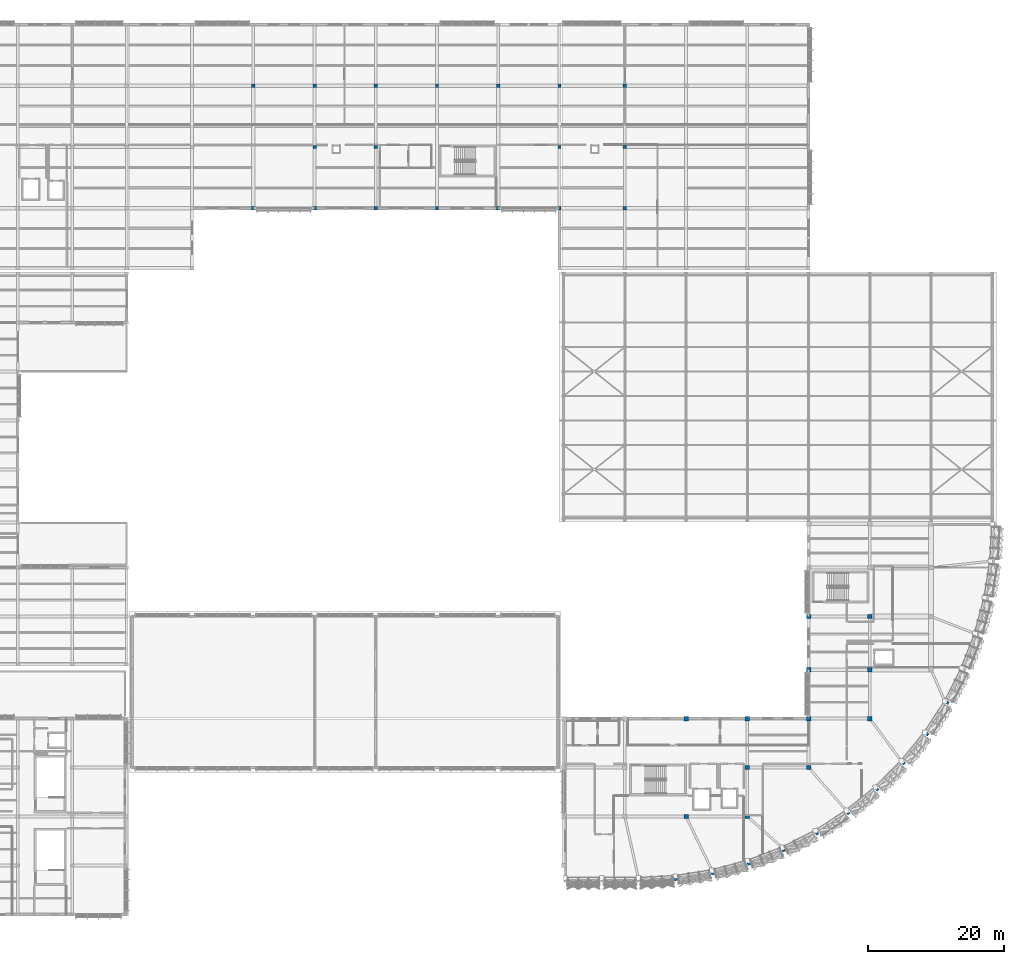
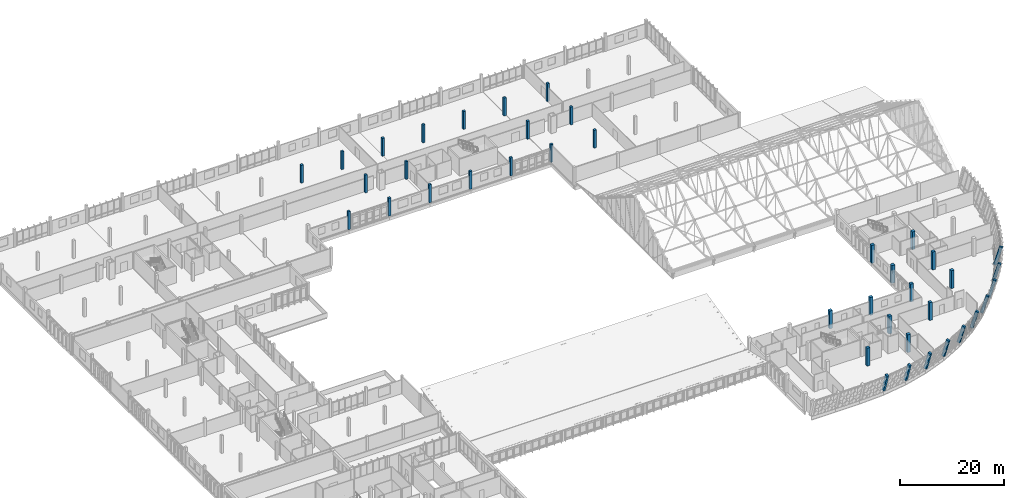
# One storey, part 5 of 182: 40 columns.
"""IFC4 building model written with IfcOpenShell, lengths in metres."""

from ifc_helpers import new_model, si_unit, direction, frame, origin, origin_2d, place, context, subcontext, project, spatial, rectangle, extrude, material, material_profile, profile_set, type_object, element, save


model = new_model("IFC4")

# Units and contexts
model_context = context("Model", 3, precision=1e-05, world=origin(), true_north=direction((0.0, 1.0)))
body_context = subcontext(model_context, "Body", "Model", "MODEL_VIEW")
ifc_project = project(units=[si_unit("LENGTHUNIT", "METRE"), si_unit("AREAUNIT", "SQUARE_METRE"), si_unit("VOLUMEUNIT", "CUBIC_METRE"), si_unit("PLANEANGLEUNIT", "RADIAN"), si_unit("MASSUNIT", "GRAM", prefix="KILO")], contexts=[model_context])

# Site, building, storey
site_placement = place(None, origin())
site = spatial("IfcSite", under=ifc_project, at=site_placement, CompositionType="ELEMENT")
building_placement = place(site_placement, origin())
building = spatial("IfcBuilding", under=site, at=building_placement, Name="Chiffa Square Polytechnic", CompositionType="ELEMENT")
storey_placement = place(building_placement, frame((0.0, 0.0, 9.60009765625)))
storey = spatial("IfcBuildingStorey", under=building, at=storey_placement, Name="L02", CompositionType="ELEMENT", Elevation=9.60009765625)

# Columns
ifc_material_1 = material(Name="Glulam GL32c", Category="wood")
ifc_material_profile_1 = material_profile(ifc_material_1, rectangle(XDim=0.449951171875, YDim=0.64990234375, at=origin_2d()), Name="GL32c 450x650")
ifc_profile_set_1 = profile_set([ifc_material_profile_1], Name="Glulam GL32c")
column_type_1 = type_object("IfcColumnType", Name="COL-RAKED-GL650", PredefinedType="USERDEFINED", material=ifc_profile_set_1)
column_1_placement = place(storey_placement, frame((128.635009765625, 5.635009765625, 0.0), z_axis=(0.02863732124, -0.270824041878, 0.962202807194), x_axis=(0.994455825103, 0.105155180184, 0.0)))
element("IfcColumn", 1, at=column_1_placement, inside=storey, type_object=column_type_1, Name="Outward-leaning glulam column CRK-V1-L02-04", ObjectType="RAKED COLUMN", PredefinedType="USERDEFINED", context=body_context, shape_type="SweptSolid", body=[
    extrude(rectangle(XDim=0.449951171875, YDim=0.64990234375, at=origin_2d()), origin(), (0.0, 0.0, 1.0), 4.364990234375),
])
for number, where, z_axis, x_axis, name in (
    (2, (134.010986328125, 6.486083984375, 0.0), (0.05682871792, -0.266244780808, 0.962228773999), (0.977970472055, 0.208743277229, 0.0), "Outward-leaning glulam column CRK-V1-L02-05"),
    (3, (139.26904296875, 7.89501953125, 0.0), (0.08406888917, -0.258918754471, 0.962233599734), (0.951120099234, 0.308821237665, 0.0), "Outward-leaning glulam column CRK-V1-L02-06"),
):
    element("IfcColumn", number, at=place(storey_placement, frame(where, z_axis=z_axis, x_axis=x_axis)), inside=storey, type_object=column_type_1, Name=name, ObjectType="RAKED COLUMN", PredefinedType="USERDEFINED", context=body_context, shape_type="SweptSolid", body=[
        extrude(rectangle(XDim=0.449951171875, YDim=0.64990234375, at=origin_2d()), origin(), (0.0, 0.0, 1.0), 4.36474609375),
    ])
for number, where, z_axis, x_axis, name in (
    (4, (144.35009765625, 9.845947265625, 0.0), (0.110856728725, -0.248784424506, 0.962193897206), (0.913421587829, 0.407014745296, 0.0), "Outward-leaning glulam column CRK-V1-L02-07"),
    (5, (149.199951171875, 12.31689453125, 0.0), (0.136082376935, -0.235920865562, 0.962196929885), (0.866226610403, 0.499651337864, 0.0), "Outward-leaning glulam column CRK-V1-L02-08"),
):
    element("IfcColumn", number, at=place(storey_placement, frame(where, z_axis=z_axis, x_axis=x_axis)), inside=storey, type_object=column_type_1, Name=name, ObjectType="RAKED COLUMN", PredefinedType="USERDEFINED", context=body_context, shape_type="SweptSolid", body=[
        extrude(rectangle(XDim=0.449951171875, YDim=0.64990234375, at=origin_2d()), origin(), (0.0, 0.0, 1.0), 4.364990234375),
    ])
for number, where, z_axis, x_axis, name in (
    (6, (153.764892578125, 15.281005859375, 0.0), (0.159920643568, -0.220163572257, 0.962264718886), (0.809082617326, 0.587694919445, 0.0), "Outward-leaning glulam column CRK-V1-L02-09"),
    (7, (157.9951171875, 18.7060546875, 0.0), (0.182121983712, -0.202314255248, 0.96223724994), (0.743222621196, 0.669044195359, 0.0), "Outward-leaning glulam column CRK-V1-L02-10"),
    (8, (161.843994140625, 22.554931640625, 0.0), (0.202314255248, -0.182121983712, 0.96223724994), (0.669044195359, 0.743222621196, 0.0), "Outward-leaning glulam column CRK-V1-L02-11"),
    (9, (165.26904296875, 26.784912109375, 0.0), (0.220163572257, -0.159920643568, 0.962264718886), (0.587694919445, 0.809082617326, 0.0), "Outward-leaning glulam column CRK-V1-L02-12"),
):
    element("IfcColumn", number, at=place(storey_placement, frame(where, z_axis=z_axis, x_axis=x_axis)), inside=storey, type_object=column_type_1, Name=name, ObjectType="RAKED COLUMN", PredefinedType="USERDEFINED", context=body_context, shape_type="SweptSolid", body=[
        extrude(rectangle(XDim=0.449951171875, YDim=0.64990234375, at=origin_2d()), origin(), (0.0, 0.0, 1.0), 4.36474609375),
    ])
column_2_placement = place(storey_placement, frame((168.23291015625, 31.35009765625, 0.0), z_axis=(0.235973683347, -0.136080581081, 0.962184231954), x_axis=(0.499562467058, 0.866277866222, 0.0)))
element("IfcColumn", 10, at=column_2_placement, inside=storey, type_object=column_type_1, Name="Outward-leaning glulam column CRK-V1-L02-13", ObjectType="RAKED COLUMN", PredefinedType="USERDEFINED", context=body_context, shape_type="SweptSolid", body=[
    extrude(rectangle(XDim=0.449951171875, YDim=0.64990234375, at=origin_2d()), origin(), (0.0, 0.0, 1.0), 4.364990234375),
])
ifc_material_2 = material(Name="Concrete C35/45", Category="concrete")
ifc_material_profile_2 = material_profile(ifc_material_2, rectangle(XDim=0.5, YDim=0.5, at=origin_2d()), Name="RC 500x500")
ifc_profile_set_2 = profile_set([ifc_material_profile_2], Name="Concrete C35/45")
column_type_2 = type_object("IfcColumnType", Name="COL-RC-500", PredefinedType="COLUMN", material=ifc_profile_set_2)
for number, where, z_axis, x_axis, name in (
    (11, (66.60009765625, 103.800048828125, 0.0), (0.0, 0.0, 1.0), (1.0, 0.0, 0.0), "Column C-V5-L02-0666-1038"),
    (12, (66.60009765625, 121.800048828125, 0.0), (0.0, 0.0, 1.0), (1.0, 0.0, 0.0), "Column C-V5-L02-0666-1218"),
    (13, (75.60009765625, 103.800048828125, 0.0), (0.0, 0.0, 1.0), (1.0, 0.0, 0.0), "Column C-V5-L02-0756-1038"),
    (14, (75.60009765625, 112.800048828125, 0.0), (0.0, 0.0, 1.0), (1.0, 0.0, 0.0), "Column C-V5-L02-0756-1128"),
    (15, (75.60009765625, 121.800048828125, 0.0), (0.0, 0.0, 1.0), (1.0, 0.0, 0.0), "Column C-V5-L02-0756-1218"),
    (16, (84.60009765625, 103.800048828125, 0.0), (0.0, 0.0, 1.0), (1.0, 0.0, 0.0), "Column C-V5-L02-0846-1038"),
    (17, (84.60009765625, 112.800048828125, 0.0), (0.0, 0.0, 1.0), (1.0, 0.0, 0.0), "Column C-V5-L02-0846-1128"),
    (18, (84.60009765625, 121.800048828125, 0.0), (0.0, 0.0, 1.0), (1.0, 0.0, 0.0), "Column C-V5-L02-0846-1218"),
    (19, (93.60009765625, 103.800048828125, 0.0), (0.0, 0.0, 1.0), (1.0, 0.0, 0.0), "Column C-V5-L02-0936-1038"),
    (20, (93.60009765625, 121.800048828125, 0.0), (0.0, 0.0, 1.0), (1.0, 0.0, 0.0), "Column C-V5-L02-0936-1218"),
    (21, (102.60009765625, 103.800048828125, 0.0), (0.0, 0.0, 1.0), (1.0, 0.0, 0.0), "Column C-V5-L02-1026-1038"),
    (22, (102.60009765625, 121.800048828125, 0.0), (0.0, 0.0, 1.0), (1.0, 0.0, 0.0), "Column C-V5-L02-1026-1218"),
    (23, (111.60009765625, 103.800048828125, 0.0), (0.0, 0.0, 1.0), (1.0, 0.0, 0.0), "Column C-V5-L02-1116-1038"),
    (24, (111.60009765625, 112.800048828125, 0.0), (0.0, 0.0, 1.0), (1.0, 0.0, 0.0), "Column C-V5-L02-1116-1128"),
    (25, (111.60009765625, 121.800048828125, 0.0), (0.0, 0.0, 1.0), (1.0, 0.0, 0.0), "Column C-V5-L02-1116-1218"),
    (26, (121.199951171875, 103.800048828125, 0.0), (0.0, 0.0, 1.0), (1.0, 0.0, 0.0), "Column C-V5-L02-1212-1038"),
    (27, (121.199951171875, 112.800048828125, 0.0), (0.0, 0.0, 1.0), (1.0, 0.0, 0.0), "Column C-V5-L02-1212-1128"),
    (28, (121.199951171875, 121.800048828125, 0.0), (0.0, 0.0, 1.0), (1.0, 0.0, 0.0), "Column C-V5-L02-1212-1218"),
):
    element("IfcColumn", number, at=place(storey_placement, frame(where, z_axis=z_axis, x_axis=x_axis)), inside=storey, type_object=column_type_2, Name=name, PredefinedType="COLUMN", context=body_context, shape_type="SweptSolid", body=[
        extrude(rectangle(XDim=0.5, YDim=0.5, at=origin_2d()), origin(), (0.0, 0.0, 1.0), 4.199951171875),
    ])
ifc_material_3 = material(Name="Concrete C40/50", Category="concrete")
ifc_material_profile_3 = material_profile(ifc_material_3, rectangle(XDim=0.64990234375, YDim=0.64990234375, at=origin_2d()), Name="RC 650x650")
ifc_profile_set_3 = profile_set([ifc_material_profile_3], Name="Concrete C40/50")
column_type_3 = type_object("IfcColumnType", Name="COL-RC-650", PredefinedType="COLUMN", material=ifc_profile_set_3)
for number, where, z_axis, x_axis, name in (
    (29, (130.199951171875, 14.39990234375, 0.0), (0.0, 0.0, 1.0), (1.0, 0.0, 0.0), "Column C-V1-L02-1302-0144"),
    (30, (130.199951171875, 28.800048828125, 0.0), (0.0, 0.0, 1.0), (1.0, 0.0, 0.0), "Column C-V1-L02-1302-0288"),
    (31, (139.199951171875, 14.39990234375, 0.0), (0.0, 0.0, 1.0), (1.0, 0.0, 0.0), "Column C-V1-L02-1392-0144"),
    (32, (139.199951171875, 21.60009765625, 0.0), (0.0, 0.0, 1.0), (1.0, 0.0, 0.0), "Column C-V1-L02-1392-0216"),
    (33, (139.199951171875, 28.800048828125, 0.0), (0.0, 0.0, 1.0), (1.0, 0.0, 0.0), "Column C-V1-L02-1392-0288"),
    (34, (148.199951171875, 21.60009765625, 0.0), (0.0, 0.0, 1.0), (1.0, 0.0, 0.0), "Column C-V1-L02-1482-0216"),
    (35, (148.199951171875, 28.800048828125, 0.0), (0.0, 0.0, 1.0), (1.0, 0.0, 0.0), "Column C-V1-L02-1482-0288"),
    (36, (148.199951171875, 36.0, 0.0), (0.0, 0.0, 1.0), (1.0, 0.0, 0.0), "Column C-V1-L02-1482-0360"),
    (37, (148.199951171875, 43.800048828125, 0.0), (0.0, 0.0, 1.0), (1.0, 0.0, 0.0), "Column C-V1-L02-1482-0438"),
    (38, (157.199951171875, 28.800048828125, 0.0), (0.0, 0.0, 1.0), (1.0, 0.0, 0.0), "Column C-V1-L02-1572-0288"),
    (39, (157.199951171875, 36.0, 0.0), (0.0, 0.0, 1.0), (1.0, 0.0, 0.0), "Column C-V1-L02-1572-0360"),
    (40, (157.199951171875, 43.800048828125, 0.0), (0.0, 0.0, 1.0), (1.0, 0.0, 0.0), "Column C-V1-L02-1572-0438"),
):
    element("IfcColumn", number, at=place(storey_placement, frame(where, z_axis=z_axis, x_axis=x_axis)), inside=storey, type_object=column_type_3, Name=name, PredefinedType="COLUMN", context=body_context, shape_type="SweptSolid", body=[
        extrude(rectangle(XDim=0.64990234375, YDim=0.64990234375, at=origin_2d()), origin(), (0.0, 0.0, 1.0), 4.199951171875),
    ])

save(model, "model.ifc")
